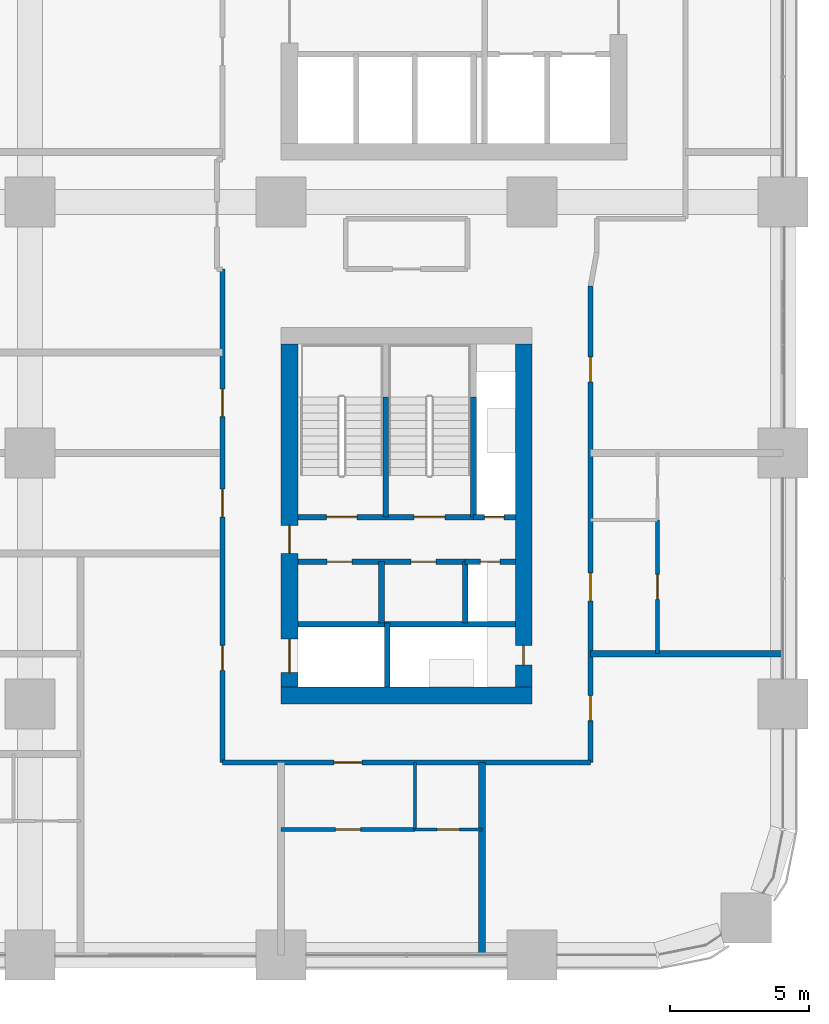
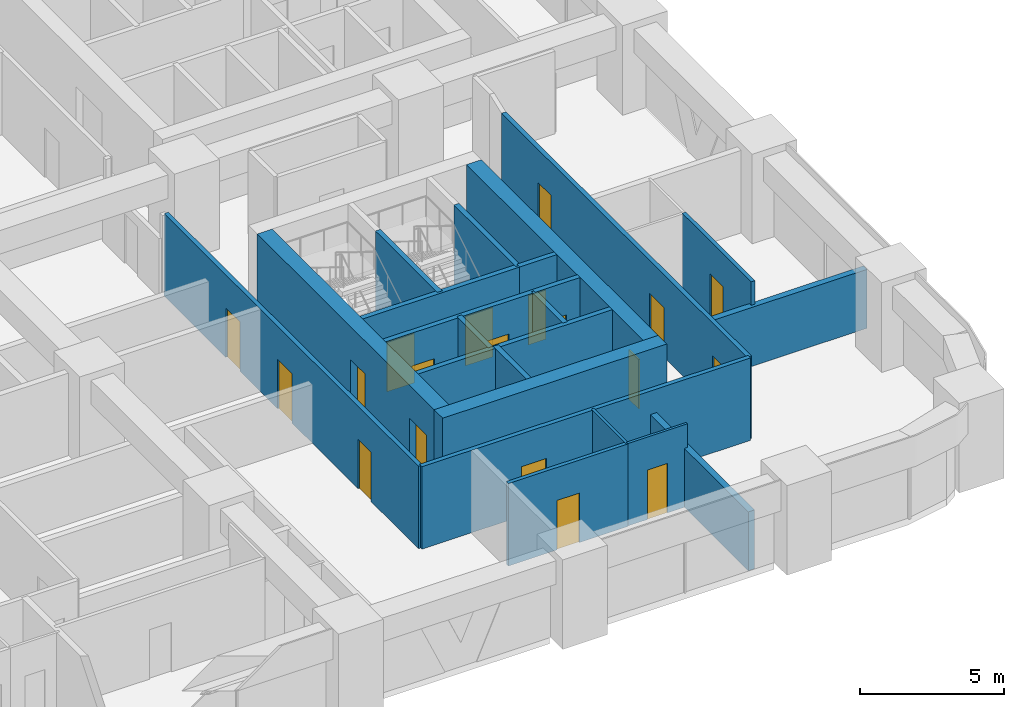
# One storey, part 15 of 21: 22 walls, 19 doors, 19 openings.
"""IFC4 building model written with IfcOpenShell, lengths in metres."""

from ifc_helpers import new_model, si_unit, direction, frame, frame_2d, origin, place, context, subcontext, project, spatial, rectangle, extrude, material, layer, layer_set, type_object, element, fill, save


model = new_model("IFC4")

# Units and contexts
model_context = context("Model", 3, precision=1e-05, world=origin(), true_north=direction((0.0, 1.0)))
body_context = subcontext(model_context, "Body", "Model", "MODEL_VIEW")
ifc_project = project(units=[si_unit("LENGTHUNIT", "METRE"), si_unit("AREAUNIT", "SQUARE_METRE"), si_unit("VOLUMEUNIT", "CUBIC_METRE"), si_unit("PLANEANGLEUNIT", "RADIAN"), si_unit("MASSUNIT", "GRAM", prefix="KILO")], contexts=[model_context])

# Site, building, storey
site_placement = place(None, origin())
site = spatial("IfcSite", under=ifc_project, at=site_placement, CompositionType="ELEMENT")
building_placement = place(site_placement, origin())
building = spatial("IfcBuilding", under=site, at=building_placement, Name="Tessera Arch", CompositionType="ELEMENT")
storey_placement = place(building_placement, frame((0.0, 0.0, 69.0)))
storey = spatial("IfcBuildingStorey", under=building, at=storey_placement, Name="L15", CompositionType="ELEMENT", Elevation=69.0)

# Wall
ifc_material_1 = material(Name="Gypsum board on steel stud", Category="steel")
ifc_layer_1 = layer(ifc_material_1, 0.125)
ifc_layer_set_1 = layer_set([ifc_layer_1], Name="Core partition 125 EI 60")
wall_type_1 = type_object("IfcWallType", Name="Core partition 125 EI 60", PredefinedType="PARTITIONING", material=ifc_layer_set_1)
wall_1_placement = place(storey_placement, frame((39.60009765625, 11.89990234375, 0.0), z_axis=(0.0, 0.0, 1.0), x_axis=(0.0, 1.0, 0.0)))
element("IfcWall", 1, at=wall_1_placement, inside=storey, type_object=wall_type_1, Name="L15 C3 partition wall 1", PredefinedType="PARTITIONING", context=body_context, shape_type="SweptSolid", body=[
    extrude(rectangle(XDim=2.2001953125, YDim=0.199951171875, at=frame_2d((1.10009765625, 0.0))), origin(), (0.0, 0.0, 1.0), 3.5),
])

# Wall, openings, doors
wall_2_placement = place(storey_placement, frame((36.60009765625, 14.10009765625, 0.0), z_axis=(0.0, 0.0, 1.0), x_axis=(1.0, 0.0, 0.0)))
wall_2 = element("IfcWall", 2, at=wall_2_placement, inside=storey, type_object=wall_type_1, Name="L15 C3 partition wall 9", PredefinedType="PARTITIONING", context=body_context, shape_type="SweptSolid", body=[
    extrude(rectangle(XDim=6.0, YDim=0.199951171875, at=frame_2d((3.0, 0.0))), origin(), (0.0, 0.0, 1.0), 3.5),
])
opening_1_placement = place(wall_2_placement, frame((1.050048828125, 0.0, 0.0)))
opening_1 = element("IfcOpeningElement", 3, at=opening_1_placement, cuts=wall_2, Name="Opening L15-C39", PredefinedType="OPENING", context=body_context, shape_type="SweptSolid", body=[
    extrude(rectangle(XDim=0.89990234375, YDim=2.10009765625, at=frame_2d((0.449951171875, 1.050048828125))), frame((0.0, 0.10986328125, 0.0), z_axis=(0.0, -1.0, 0.0), x_axis=(1.0, 0.0, 0.0)), (0.0, 0.0, 1.0), 0.219970703125),
])
opening_2_placement = place(wall_2_placement, frame((4.050048828125, 0.0, 0.0)))
opening_2 = element("IfcOpeningElement", 4, at=opening_2_placement, cuts=wall_2, Name="Opening L15-C40", PredefinedType="OPENING", context=body_context, shape_type="SweptSolid", body=[
    extrude(rectangle(XDim=0.89990234375, YDim=2.10009765625, at=frame_2d((0.449951171875, 1.050048828125))), frame((0.0, 0.10986328125, 0.0), z_axis=(0.0, -1.0, 0.0), x_axis=(1.0, 0.0, 0.0)), (0.0, 0.0, 1.0), 0.219970703125),
])
ifc_material_2 = material(Name="Steel door leaf", Category="steel")
door_type_1 = type_object("IfcDoorType", Name="Store door FD30S 900 x 2100", OperationType="SINGLE_SWING_LEFT", PredefinedType="DOOR", material=ifc_material_2)
door_1_placement = place(opening_1_placement, origin())
door_1 = element("IfcDoor", 5, at=door_1_placement, inside=storey, type_object=door_type_1, Name="L15 C3 door 8 C39 type D09", OperationType="SINGLE_SWING_LEFT", OverallHeight=2.10009765625, OverallWidth=0.89990234375, PredefinedType="DOOR", context=body_context, shape_type="SweptSolid", body=[
    extrude(rectangle(XDim=0.89990234375, YDim=2.10009765625, at=frame_2d((0.449951171875, 1.050048828125))), frame((0.0, 0.02490234375, 0.0), z_axis=(0.0, -1.0, 0.0), x_axis=(1.0, 0.0, 0.0)), (0.0, 0.0, 1.0), 0.050048828125),
])
fill(opening_1, door_1)
door_2_placement = place(opening_2_placement, origin())
door_2 = element("IfcDoor", 6, at=door_2_placement, inside=storey, type_object=door_type_1, Name="L15 C3 door 9 C40 type D09", OperationType="SINGLE_SWING_RIGHT", OverallHeight=2.10009765625, OverallWidth=0.89990234375, PredefinedType="DOOR", context=body_context, shape_type="SweptSolid", body=[
    extrude(rectangle(XDim=0.89990234375, YDim=2.10009765625, at=frame_2d((0.449951171875, 1.050048828125))), frame((0.0, 0.02490234375, 0.0), z_axis=(0.0, -1.0, 0.0), x_axis=(1.0, 0.0, 0.0)), (0.0, 0.0, 1.0), 0.050048828125),
])
fill(opening_2, door_2)

# Wall
ifc_material_3 = material(Name="Concrete C70/85", Category="concrete")
ifc_layer_2 = layer(ifc_material_3, 0.60009765625)
ifc_layer_set_2 = layer_set([ifc_layer_2], Name="Core shell wall 600 C70-85")
wall_type_2 = type_object("IfcWallType", Name="Core shell wall 600 C70-85", PredefinedType="SHEAR", material=ifc_layer_set_2)
wall_3_placement = place(storey_placement, frame((36.0, 9.300048828125, 0.0), z_axis=(0.0, 0.0, 1.0), x_axis=(1.0, 0.0, 0.0)))
element("IfcWall", 7, at=wall_3_placement, inside=storey, type_object=wall_type_2, Name="L15 C3 core wall S", PredefinedType="SHEAR", context=body_context, shape_type="SweptSolid", body=[
    extrude(rectangle(XDim=9.0, YDim=0.60009765625, at=frame_2d((4.5, 0.0))), origin(), (0.0, 0.0, 1.0), 3.5),
])

# Wall, openings, doors
wall_4_placement = place(storey_placement, frame((36.300048828125, 9.60009765625, 0.0), z_axis=(0.0, 0.0, 1.0), x_axis=(0.0, 1.0, 0.0)))
wall_4 = element("IfcWall", 8, at=wall_4_placement, inside=storey, type_object=wall_type_2, Name="L15 C3 core wall W", PredefinedType="SHEAR", context=body_context, shape_type="SweptSolid", body=[
    extrude(rectangle(XDim=12.2998046875, YDim=0.60009765625, at=frame_2d((6.14990234375, 0.0))), origin(), (0.0, 0.0, 1.0), 3.5),
])
opening_3_placement = place(wall_4_placement, frame((0.52490234375, 0.0, 0.0)))
opening_3 = element("IfcOpeningElement", 9, at=opening_3_placement, cuts=wall_4, Name="Opening L15-C32", PredefinedType="OPENING", context=body_context, shape_type="SweptSolid", body=[
    extrude(rectangle(XDim=1.199951171875, YDim=2.10009765625, at=frame_2d((0.60009765625, 1.050048828125))), frame((0.0, 0.31005859375, 0.0), z_axis=(0.0, -1.0, 0.0), x_axis=(1.0, 0.0, 0.0)), (0.0, 0.0, 1.0), 0.6201171875),
])
opening_4_placement = place(wall_4_placement, frame((4.800048828125, 0.0, 0.0)))
opening_4 = element("IfcOpeningElement", 10, at=opening_4_placement, cuts=wall_4, Name="Opening L15-C38", PredefinedType="OPENING", context=body_context, shape_type="SweptSolid", body=[
    extrude(rectangle(XDim=1.0, YDim=2.10009765625, at=frame_2d((0.5, 1.050048828125))), frame((0.0, 0.31005859375, 0.0), z_axis=(0.0, -1.0, 0.0), x_axis=(1.0, 0.0, 0.0)), (0.0, 0.0, 1.0), 0.6201171875),
])
ifc_material_4 = material(Name="Steel door leaf", Category="steel")
door_type_2 = type_object("IfcDoorType", Name="Corridor door FD60 1000 x 2100", OperationType="SINGLE_SWING_LEFT", PredefinedType="DOOR", material=ifc_material_4)
door_3_placement = place(opening_4_placement, origin())
door_3 = element("IfcDoor", 11, at=door_3_placement, inside=storey, type_object=door_type_2, Name="L15 C3 door 7 C38 type D12", OperationType="SINGLE_SWING_LEFT", OverallHeight=2.10009765625, OverallWidth=1.0, PredefinedType="DOOR", context=body_context, shape_type="SweptSolid", body=[
    extrude(rectangle(XDim=1.0, YDim=2.10009765625, at=frame_2d((0.5, 1.050048828125))), frame((0.0, 0.02490234375, 0.0), z_axis=(0.0, -1.0, 0.0), x_axis=(1.0, 0.0, 0.0)), (0.0, 0.0, 1.0), 0.050048828125),
])
fill(opening_4, door_3)
ifc_material_5 = material(Name="Stainless steel AISI 304", Category="steel")
door_type_3 = type_object("IfcDoorType", Name="Sliding landing door 1200 x 2100", OperationType="SLIDING_TO_LEFT", PredefinedType="DOOR", material=ifc_material_5)
door_4_placement = place(opening_3_placement, origin())
door_4 = element("IfcDoor", 12, at=door_4_placement, inside=storey, type_object=door_type_3, Name="L15 SV1 lift landing door C32 type LD", OperationType="SLIDING_TO_LEFT", OverallHeight=2.10009765625, OverallWidth=1.199951171875, PredefinedType="DOOR", context=body_context, shape_type="SweptSolid", body=[
    extrude(rectangle(XDim=1.199951171875, YDim=2.10009765625, at=frame_2d((0.60009765625, 1.050048828125))), frame((0.0, 0.02490234375, 0.0), z_axis=(0.0, -1.0, 0.0), x_axis=(1.0, 0.0, 0.0)), (0.0, 0.0, 1.0), 0.050048828125),
])
fill(opening_3, door_4)

# Wall, opening, door
wall_5_placement = place(storey_placement, frame((44.699951171875, 9.60009765625, 0.0), z_axis=(0.0, 0.0, 1.0), x_axis=(0.0, 1.0, 0.0)))
wall_5 = element("IfcWall", 13, at=wall_5_placement, inside=storey, type_object=wall_type_2, Name="L15 C3 core wall E", PredefinedType="SHEAR", context=body_context, shape_type="SweptSolid", body=[
    extrude(rectangle(XDim=12.2998046875, YDim=0.60009765625, at=frame_2d((6.14990234375, 0.0))), origin(), (0.0, 0.0, 1.0), 3.5),
])
opening_5_placement = place(wall_5_placement, frame((0.800048828125, 0.0, 0.0)))
opening_5 = element("IfcOpeningElement", 14, at=opening_5_placement, cuts=wall_5, Name="Opening L15-C37", PredefinedType="OPENING", context=body_context, shape_type="SweptSolid", body=[
    extrude(rectangle(XDim=0.699951171875, YDim=2.10009765625, at=frame_2d((0.35009765625, 1.050048828125))), frame((0.0, 0.31005859375, 0.0), z_axis=(0.0, -1.0, 0.0), x_axis=(1.0, 0.0, 0.0)), (0.0, 0.0, 1.0), 0.6201171875),
])
ifc_material_6 = material(Name="Steel door leaf", Category="steel")
door_type_4 = type_object("IfcDoorType", Name="Service shaft door FD60 700 x 2100", OperationType="SINGLE_SWING_LEFT", PredefinedType="DOOR", material=ifc_material_6)
door_5_placement = place(opening_5_placement, origin())
door_5 = element("IfcDoor", 15, at=door_5_placement, inside=storey, type_object=door_type_4, Name="L15 C3 door 6 C37 type D07", OperationType="SINGLE_SWING_LEFT", OverallHeight=2.10009765625, OverallWidth=0.699951171875, PredefinedType="DOOR", context=body_context, shape_type="SweptSolid", body=[
    extrude(rectangle(XDim=0.699951171875, YDim=2.10009765625, at=frame_2d((0.35009765625, 1.050048828125))), frame((0.0, 0.02490234375, 0.0), z_axis=(0.0, -1.0, 0.0), x_axis=(1.0, 0.0, 0.0)), (0.0, 0.0, 1.0), 0.050048828125),
])
fill(opening_5, door_5)

ifc_material_7 = material(Name="Gypsum board on deep steel stud with mineral wool", Category="steel")
ifc_layer_3 = layer(ifc_material_7, 0.175048828125)
ifc_layer_set_3 = layer_set([ifc_layer_3], Name="Corridor wall 175 EI 60")
wall_type_3 = type_object("IfcWallType", Name="Corridor wall 175 EI 60", PredefinedType="PARTITIONING", material=ifc_layer_set_3)
wall_6_placement = place(storey_placement, frame((33.89990234375, 6.89990234375, 0.0), z_axis=(0.0, 0.0, 1.0), x_axis=(1.0, 0.0, 0.0)))
wall_6 = element("IfcWall", 16, at=wall_6_placement, inside=storey, type_object=wall_type_3, Name="L15 partition 2", PredefinedType="PARTITIONING", context=body_context, shape_type="SweptSolid", body=[
    extrude(rectangle(XDim=13.2001953125, YDim=0.175048828125, at=frame_2d((6.60009765625, 0.0))), origin(), (0.0, 0.0, 1.0), 3.5),
])
opening_6_placement = place(wall_6_placement, frame((4.0, 0.0, 0.0)))
opening_6 = element("IfcOpeningElement", 17, at=opening_6_placement, cuts=wall_6, Name="Opening L15-D007", PredefinedType="OPENING", context=body_context, shape_type="SweptSolid", body=[
    extrude(rectangle(XDim=1.0, YDim=2.10009765625, at=frame_2d((0.5, 1.050048828125))), frame((0.0, 0.097412109375, 0.0), z_axis=(0.0, -1.0, 0.0), x_axis=(1.0, 0.0, 0.0)), (0.0, 0.0, 1.0), 0.195068359375),
])
ifc_material_8 = material(Name="Fire-rated door leaf")
door_type_5 = type_object("IfcDoorType", Name="Entrance door FD30S 1000 x 2100", OperationType="SINGLE_SWING_LEFT", PredefinedType="DOOR", material=ifc_material_8)
door_6_placement = place(opening_6_placement, origin())
door_6 = element("IfcDoor", 18, at=door_6_placement, inside=storey, type_object=door_type_5, Name="L15 door D007 type D03", OperationType="SINGLE_SWING_RIGHT", OverallHeight=2.10009765625, OverallWidth=1.0, PredefinedType="DOOR", context=body_context, shape_type="SweptSolid", body=[
    extrude(rectangle(XDim=1.0, YDim=2.10009765625, at=frame_2d((0.5, 1.050048828125))), frame((0.0, 0.02490234375, 0.0), z_axis=(0.0, -1.0, 0.0), x_axis=(1.0, 0.0, 0.0)), (0.0, 0.0, 1.0), 0.050048828125),
])
fill(opening_6, door_6)

# Wall, openings, doors
wall_7_placement = place(storey_placement, frame((33.89990234375, 6.89990234375, 0.0), z_axis=(0.0, 0.0, 1.0), x_axis=(0.0, 1.0, 0.0)))
wall_7 = element("IfcWall", 19, at=wall_7_placement, inside=storey, type_object=wall_type_3, Name="L15 partition 24", PredefinedType="PARTITIONING", context=body_context, shape_type="SweptSolid", body=[
    extrude(rectangle(XDim=17.690185546875, YDim=0.175048828125, at=frame_2d((8.84521484375, 0.0))), origin(), (0.0, 0.0, 1.0), 3.5),
])
opening_7_placement = place(wall_7_placement, frame((3.300048828125, 0.0, 0.0)))
opening_7 = element("IfcOpeningElement", 20, at=opening_7_placement, cuts=wall_7, Name="Opening L15-D017", PredefinedType="OPENING", context=body_context, shape_type="SweptSolid", body=[
    extrude(rectangle(XDim=0.89990234375, YDim=2.10009765625, at=frame_2d((0.449951171875, 1.050048828125))), frame((0.0, 0.097412109375, 0.0), z_axis=(0.0, -1.0, 0.0), x_axis=(1.0, 0.0, 0.0)), (0.0, 0.0, 1.0), 0.195068359375),
])
opening_8_placement = place(wall_7_placement, frame((8.800048828125, 0.0, 0.0)))
opening_8 = element("IfcOpeningElement", 21, at=opening_8_placement, cuts=wall_7, Name="Opening L15-D026", PredefinedType="OPENING", context=body_context, shape_type="SweptSolid", body=[
    extrude(rectangle(XDim=1.0, YDim=2.10009765625, at=frame_2d((0.5, 1.050048828125))), frame((0.0, 0.097412109375, 0.0), z_axis=(0.0, -1.0, 0.0), x_axis=(1.0, 0.0, 0.0)), (0.0, 0.0, 1.0), 0.195068359375),
])
opening_9_placement = place(wall_7_placement, frame((12.39990234375, 0.0, 0.0)))
opening_9 = element("IfcOpeningElement", 22, at=opening_9_placement, cuts=wall_7, Name="Opening L15-D027", PredefinedType="OPENING", context=body_context, shape_type="SweptSolid", body=[
    extrude(rectangle(XDim=1.0, YDim=2.10009765625, at=frame_2d((0.5, 1.050048828125))), frame((0.0, 0.097412109375, 0.0), z_axis=(0.0, -1.0, 0.0), x_axis=(1.0, 0.0, 0.0)), (0.0, 0.0, 1.0), 0.195068359375),
])
door_7_placement = place(opening_8_placement, origin())
door_7 = element("IfcDoor", 23, at=door_7_placement, inside=storey, type_object=door_type_5, Name="L15 door D026 type D03", OperationType="SINGLE_SWING_RIGHT", OverallHeight=2.10009765625, OverallWidth=1.0, PredefinedType="DOOR", context=body_context, shape_type="SweptSolid", body=[
    extrude(rectangle(XDim=1.0, YDim=2.10009765625, at=frame_2d((0.5, 1.050048828125))), frame((0.0, 0.02490234375, 0.0), z_axis=(0.0, -1.0, 0.0), x_axis=(1.0, 0.0, 0.0)), (0.0, 0.0, 1.0), 0.050048828125),
])
fill(opening_8, door_7)
door_8_placement = place(opening_9_placement, origin())
door_8 = element("IfcDoor", 24, at=door_8_placement, inside=storey, type_object=door_type_5, Name="L15 door D027 type D03", OperationType="SINGLE_SWING_LEFT", OverallHeight=2.10009765625, OverallWidth=1.0, PredefinedType="DOOR", context=body_context, shape_type="SweptSolid", body=[
    extrude(rectangle(XDim=1.0, YDim=2.10009765625, at=frame_2d((0.5, 1.050048828125))), frame((0.0, 0.02490234375, 0.0), z_axis=(0.0, -1.0, 0.0), x_axis=(1.0, 0.0, 0.0)), (0.0, 0.0, 1.0), 0.050048828125),
])
fill(opening_9, door_8)
ifc_material_9 = material(Name="Timber door leaf", Category="wood")
door_type_6 = type_object("IfcDoorType", Name="Room door 900 x 2100", OperationType="SINGLE_SWING_LEFT", PredefinedType="DOOR", material=ifc_material_9)
door_9_placement = place(opening_7_placement, origin())
door_9 = element("IfcDoor", 25, at=door_9_placement, inside=storey, type_object=door_type_6, Name="L15 door D017 type D01", OperationType="SINGLE_SWING_LEFT", OverallHeight=2.10009765625, OverallWidth=0.89990234375, PredefinedType="DOOR", context=body_context, shape_type="SweptSolid", body=[
    extrude(rectangle(XDim=0.89990234375, YDim=2.10009765625, at=frame_2d((0.449951171875, 1.050048828125))), frame((0.0, 0.02490234375, 0.0), z_axis=(0.0, -1.0, 0.0), x_axis=(1.0, 0.0, 0.0)), (0.0, 0.0, 1.0), 0.050048828125),
])
fill(opening_7, door_9)

wall_8_placement = place(storey_placement, frame((47.10009765625, 6.89990234375, 0.0), z_axis=(0.0, 0.0, 1.0), x_axis=(0.0, 1.0, 0.0)))
wall_8 = element("IfcWall", 26, at=wall_8_placement, inside=storey, type_object=wall_type_3, Name="L15 partition 28", PredefinedType="PARTITIONING", context=body_context, shape_type="SweptSolid", body=[
    extrude(rectangle(XDim=17.090087890625, YDim=0.175048828125, at=frame_2d((8.544921875, 0.0))), origin(), (0.0, 0.0, 1.0), 3.5),
])
opening_10_placement = place(wall_8_placement, frame((1.5, 0.0, 0.0)))
opening_10 = element("IfcOpeningElement", 27, at=opening_10_placement, cuts=wall_8, Name="Opening L15-D016", PredefinedType="OPENING", context=body_context, shape_type="SweptSolid", body=[
    extrude(rectangle(XDim=0.89990234375, YDim=2.10009765625, at=frame_2d((0.449951171875, 1.050048828125))), frame((0.0, 0.097412109375, 0.0), z_axis=(0.0, -1.0, 0.0), x_axis=(1.0, 0.0, 0.0)), (0.0, 0.0, 1.0), 0.195068359375),
])
opening_11_placement = place(wall_8_placement, frame((5.800048828125, 0.0, 0.0)))
opening_11 = element("IfcOpeningElement", 28, at=opening_11_placement, cuts=wall_8, Name="Opening L15-D023", PredefinedType="OPENING", context=body_context, shape_type="SweptSolid", body=[
    extrude(rectangle(XDim=1.0, YDim=2.10009765625, at=frame_2d((0.5, 1.050048828125))), frame((0.0, 0.097412109375, 0.0), z_axis=(0.0, -1.0, 0.0), x_axis=(1.0, 0.0, 0.0)), (0.0, 0.0, 1.0), 0.195068359375),
])
opening_12_placement = place(wall_8_placement, frame((13.64501953125, 0.0, 0.0)))
opening_12 = element("IfcOpeningElement", 29, at=opening_12_placement, cuts=wall_8, Name="Opening L15-D031", PredefinedType="OPENING", context=body_context, shape_type="SweptSolid", body=[
    extrude(rectangle(XDim=0.89990234375, YDim=2.10009765625, at=frame_2d((0.449951171875, 1.050048828125))), frame((0.0, 0.097412109375, 0.0), z_axis=(0.0, -1.0, 0.0), x_axis=(1.0, 0.0, 0.0)), (0.0, 0.0, 1.0), 0.195068359375),
])
door_10_placement = place(opening_11_placement, origin())
door_10 = element("IfcDoor", 30, at=door_10_placement, inside=storey, type_object=door_type_5, Name="L15 door D023 type D03", OperationType="SINGLE_SWING_RIGHT", OverallHeight=2.10009765625, OverallWidth=1.0, PredefinedType="DOOR", context=body_context, shape_type="SweptSolid", body=[
    extrude(rectangle(XDim=1.0, YDim=2.10009765625, at=frame_2d((0.5, 1.050048828125))), frame((0.0, 0.02490234375, 0.0), z_axis=(0.0, -1.0, 0.0), x_axis=(1.0, 0.0, 0.0)), (0.0, 0.0, 1.0), 0.050048828125),
])
fill(opening_11, door_10)
door_11_placement = place(opening_10_placement, origin())
door_11 = element("IfcDoor", 31, at=door_11_placement, inside=storey, type_object=door_type_6, Name="L15 door D016 type D01", OperationType="SINGLE_SWING_LEFT", OverallHeight=2.10009765625, OverallWidth=0.89990234375, PredefinedType="DOOR", context=body_context, shape_type="SweptSolid", body=[
    extrude(rectangle(XDim=0.89990234375, YDim=2.10009765625, at=frame_2d((0.449951171875, 1.050048828125))), frame((0.0, 0.02490234375, 0.0), z_axis=(0.0, -1.0, 0.0), x_axis=(1.0, 0.0, 0.0)), (0.0, 0.0, 1.0), 0.050048828125),
])
fill(opening_10, door_11)
door_12_placement = place(opening_12_placement, origin())
door_12 = element("IfcDoor", 32, at=door_12_placement, inside=storey, type_object=door_type_6, Name="L15 door D031 type D01", OperationType="SINGLE_SWING_RIGHT", OverallHeight=2.10009765625, OverallWidth=0.89990234375, PredefinedType="DOOR", context=body_context, shape_type="SweptSolid", body=[
    extrude(rectangle(XDim=0.89990234375, YDim=2.10009765625, at=frame_2d((0.449951171875, 1.050048828125))), frame((0.0, 0.02490234375, 0.0), z_axis=(0.0, -1.0, 0.0), x_axis=(1.0, 0.0, 0.0)), (0.0, 0.0, 1.0), 0.050048828125),
])
fill(opening_12, door_12)

# Wall, opening, door
ifc_material_10 = material(Name="Gypsum board on steel stud", Category="steel")
ifc_layer_4 = layer(ifc_material_10, 0.14990234375)
ifc_layer_set_4 = layer_set([ifc_layer_4], Name="Partition 150")
wall_type_4 = type_object("IfcWallType", Name="Partition 150", PredefinedType="PARTITIONING", material=ifc_layer_set_4)
wall_9_placement = place(storey_placement, frame((36.0, 4.5, 0.0), z_axis=(0.0, 0.0, 1.0), x_axis=(1.0, 0.0, 0.0)))
wall_9 = element("IfcWall", 33, at=wall_9_placement, inside=storey, type_object=wall_type_4, Name="L15 partition 33", PredefinedType="PARTITIONING", context=body_context, shape_type="SweptSolid", body=[
    extrude(rectangle(XDim=4.800048828125, YDim=0.14990234375, at=frame_2d((2.39990234375, 0.0))), origin(), (0.0, 0.0, 1.0), 3.5),
])
opening_13_placement = place(wall_9_placement, frame((1.949951171875, 0.0, 0.0)))
opening_13 = element("IfcOpeningElement", 34, at=opening_13_placement, cuts=wall_9, Name="Opening L15-D008", PredefinedType="OPENING", context=body_context, shape_type="SweptSolid", body=[
    extrude(rectangle(XDim=0.89990234375, YDim=2.10009765625, at=frame_2d((0.449951171875, 1.050048828125))), frame((0.0, 0.0849609375, 0.0), z_axis=(0.0, -1.0, 0.0), x_axis=(1.0, 0.0, 0.0)), (0.0, 0.0, 1.0), 0.169921875),
])
door_13_placement = place(opening_13_placement, origin())
door_13 = element("IfcDoor", 35, at=door_13_placement, inside=storey, type_object=door_type_6, Name="L15 door D008 type D01", OperationType="SINGLE_SWING_LEFT", OverallHeight=2.10009765625, OverallWidth=0.89990234375, PredefinedType="DOOR", context=body_context, shape_type="SweptSolid", body=[
    extrude(rectangle(XDim=0.89990234375, YDim=2.10009765625, at=frame_2d((0.449951171875, 1.050048828125))), frame((0.0, 0.02490234375, 0.0), z_axis=(0.0, -1.0, 0.0), x_axis=(1.0, 0.0, 0.0)), (0.0, 0.0, 1.0), 0.050048828125),
])
fill(opening_13, door_13)

wall_10_placement = place(storey_placement, frame((49.5, 10.800048828125, 0.0), z_axis=(0.0, 0.0, 1.0), x_axis=(0.0, 1.0, 0.0)))
wall_10 = element("IfcWall", 36, at=wall_10_placement, inside=storey, type_object=wall_type_4, Name="L15 partition 38", PredefinedType="PARTITIONING", context=body_context, shape_type="SweptSolid", body=[
    extrude(rectangle(XDim=4.800048828125, YDim=0.14990234375, at=frame_2d((2.39990234375, 0.0))), origin(), (0.0, 0.0, 1.0), 3.5),
])
opening_14_placement = place(wall_10_placement, frame((1.949951171875, 0.0, 0.0)))
opening_14 = element("IfcOpeningElement", 37, at=opening_14_placement, cuts=wall_10, Name="Opening L15-D024", PredefinedType="OPENING", context=body_context, shape_type="SweptSolid", body=[
    extrude(rectangle(XDim=0.89990234375, YDim=2.10009765625, at=frame_2d((0.449951171875, 1.050048828125))), frame((0.0, 0.0849609375, 0.0), z_axis=(0.0, -1.0, 0.0), x_axis=(1.0, 0.0, 0.0)), (0.0, 0.0, 1.0), 0.169921875),
])
door_14_placement = place(opening_14_placement, origin())
door_14 = element("IfcDoor", 38, at=door_14_placement, inside=storey, type_object=door_type_6, Name="L15 door D024 type D01", OperationType="SINGLE_SWING_LEFT", OverallHeight=2.10009765625, OverallWidth=0.89990234375, PredefinedType="DOOR", context=body_context, shape_type="SweptSolid", body=[
    extrude(rectangle(XDim=0.89990234375, YDim=2.10009765625, at=frame_2d((0.449951171875, 1.050048828125))), frame((0.0, 0.02490234375, 0.0), z_axis=(0.0, -1.0, 0.0), x_axis=(1.0, 0.0, 0.0)), (0.0, 0.0, 1.0), 0.050048828125),
])
fill(opening_14, door_14)

# Walls
ifc_material_11 = material(Name="Double gypsum board on twin steel stud with acoustic mineral wool", Category="steel")
ifc_layer_5 = layer(ifc_material_11, 0.25)
ifc_layer_set_5 = layer_set([ifc_layer_5], Name="Party wall 250 EI 60")
wall_type_5 = type_object("IfcWallType", Name="Party wall 250 EI 60", PredefinedType="PARTITIONING", material=ifc_layer_set_5)
for number, where, z_axis, x_axis, name in (
    (39, (47.10009765625, 10.800048828125, 0.0), (0.0, 0.0, 1.0), (1.0, 0.0, 0.0), "L15 partition 42"),
    (40, (43.199951171875, 0.0, 0.0), (0.0, 0.0, 1.0), (0.0, 1.0, 0.0), "L15 partition 68"),
):
    element("IfcWall", number, at=place(storey_placement, frame(where, z_axis=z_axis, x_axis=x_axis)), inside=storey, type_object=wall_type_5, Name=name, PredefinedType="PARTITIONING", context=body_context, shape_type="SweptSolid", body=[
        extrude(rectangle(XDim=6.89990234375, YDim=0.25, at=frame_2d((3.449951171875, 0.0))), origin(), (0.0, 0.0, 1.0), 2.5),
    ])
ifc_material_12 = material(Name="Concrete C40/50", Category="concrete")
ifc_layer_6 = layer(ifc_material_12, 0.199951171875)
ifc_layer_set_6 = layer_set([ifc_layer_6], Name="Shaft wall 200 EI 120")
wall_type_6 = type_object("IfcWallType", Name="Shaft wall 200 EI 120", PredefinedType="SOLIDWALL", material=ifc_layer_set_6)
wall_11_placement = place(storey_placement, frame((39.800048828125, 9.60009765625, 0.0), z_axis=(0.0, 0.0, 1.0), x_axis=(0.0, 1.0, 0.0)))
element("IfcWall", 41, at=wall_11_placement, inside=storey, type_object=wall_type_6, Name="L15 C3 shaft wall 4", PredefinedType="SOLIDWALL", context=body_context, shape_type="SweptSolid", body=[
    extrude(rectangle(XDim=2.2998046875, YDim=0.199951171875, at=frame_2d((1.14990234375, 0.0))), origin(), (0.0, 0.0, 1.0), 3.5),
])
wall_12_placement = place(storey_placement, frame((42.60009765625, 11.89990234375, 0.0), z_axis=(0.0, 0.0, 1.0), x_axis=(0.0, 1.0, 0.0)))
element("IfcWall", 42, at=wall_12_placement, inside=storey, type_object=wall_type_6, Name="L15 C3 shaft wall 5", PredefinedType="SOLIDWALL", context=body_context, shape_type="SweptSolid", body=[
    extrude(rectangle(XDim=2.2001953125, YDim=0.199951171875, at=frame_2d((1.10009765625, 0.0))), origin(), (0.0, 0.0, 1.0), 3.5),
])
wall_13_placement = place(storey_placement, frame((36.60009765625, 11.85009765625, 0.0), z_axis=(0.0, 0.0, 1.0), x_axis=(1.0, 0.0, 0.0)))
element("IfcWall", 43, at=wall_13_placement, inside=storey, type_object=wall_type_6, Name="L15 C3 shaft wall 8", PredefinedType="SOLIDWALL", context=body_context, shape_type="SweptSolid", body=[
    extrude(rectangle(XDim=7.7998046875, YDim=0.199951171875, at=frame_2d((3.89990234375, 0.0))), origin(), (0.0, 0.0, 1.0), 3.5),
])

# Wall, opening, door
wall_14_placement = place(storey_placement, frame((42.60009765625, 14.10009765625, 0.0), z_axis=(0.0, 0.0, 1.0), x_axis=(1.0, 0.0, 0.0)))
wall_14 = element("IfcWall", 44, at=wall_14_placement, inside=storey, type_object=wall_type_6, Name="L15 C3 shaft wall 10", PredefinedType="SOLIDWALL", context=body_context, shape_type="SweptSolid", body=[
    extrude(rectangle(XDim=1.7998046875, YDim=0.199951171875, at=frame_2d((0.89990234375, 0.0))), origin(), (0.0, 0.0, 1.0), 3.5),
])
opening_15_placement = place(wall_14_placement, frame((0.550048828125, 0.0, 0.0)))
opening_15 = element("IfcOpeningElement", 45, at=opening_15_placement, cuts=wall_14, Name="Opening L15-C36", PredefinedType="OPENING", context=body_context, shape_type="SweptSolid", body=[
    extrude(rectangle(XDim=0.699951171875, YDim=2.10009765625, at=frame_2d((0.35009765625, 1.050048828125))), frame((0.0, 0.10986328125, 0.0), z_axis=(0.0, -1.0, 0.0), x_axis=(1.0, 0.0, 0.0)), (0.0, 0.0, 1.0), 0.219970703125),
])
door_15_placement = place(opening_15_placement, origin())
door_15 = element("IfcDoor", 46, at=door_15_placement, inside=storey, type_object=door_type_4, Name="L15 C3 door 5 C36 type D07", OperationType="SINGLE_SWING_RIGHT", OverallHeight=2.10009765625, OverallWidth=0.699951171875, PredefinedType="DOOR", context=body_context, shape_type="SweptSolid", body=[
    extrude(rectangle(XDim=0.699951171875, YDim=2.10009765625, at=frame_2d((0.35009765625, 1.050048828125))), frame((0.0, 0.02490234375, 0.0), z_axis=(0.0, -1.0, 0.0), x_axis=(1.0, 0.0, 0.0)), (0.0, 0.0, 1.0), 0.050048828125),
])
fill(opening_15, door_15)

wall_15_placement = place(storey_placement, frame((42.89990234375, 15.699951171875, 0.0), z_axis=(0.0, 0.0, 1.0), x_axis=(1.0, 0.0, 0.0)))
wall_15 = element("IfcWall", 47, at=wall_15_placement, inside=storey, type_object=wall_type_6, Name="L15 C3 shaft wall 11", PredefinedType="SOLIDWALL", context=body_context, shape_type="SweptSolid", body=[
    extrude(rectangle(XDim=1.5, YDim=0.199951171875, at=frame_2d((0.75, 0.0))), origin(), (0.0, 0.0, 1.0), 3.5),
])
opening_16_placement = place(wall_15_placement, frame((0.39990234375, 0.0, 0.0)))
opening_16 = element("IfcOpeningElement", 48, at=opening_16_placement, cuts=wall_15, Name="Opening L15-C35", PredefinedType="OPENING", context=body_context, shape_type="SweptSolid", body=[
    extrude(rectangle(XDim=0.699951171875, YDim=2.10009765625, at=frame_2d((0.35009765625, 1.050048828125))), frame((0.0, 0.10986328125, 0.0), z_axis=(0.0, -1.0, 0.0), x_axis=(1.0, 0.0, 0.0)), (0.0, 0.0, 1.0), 0.219970703125),
])
door_16_placement = place(opening_16_placement, origin())
door_16 = element("IfcDoor", 49, at=door_16_placement, inside=storey, type_object=door_type_4, Name="L15 C3 door 4 C35 type D07", OperationType="SINGLE_SWING_LEFT", OverallHeight=2.10009765625, OverallWidth=0.699951171875, PredefinedType="DOOR", context=body_context, shape_type="SweptSolid", body=[
    extrude(rectangle(XDim=0.699951171875, YDim=2.10009765625, at=frame_2d((0.35009765625, 1.050048828125))), frame((0.0, 0.02490234375, 0.0), z_axis=(0.0, -1.0, 0.0), x_axis=(1.0, 0.0, 0.0)), (0.0, 0.0, 1.0), 0.050048828125),
])
fill(opening_16, door_16)

# Walls
ifc_material_13 = material(Name="Concrete C40/50", Category="concrete")
ifc_layer_7 = layer(ifc_material_13, 0.199951171875)
ifc_layer_set_7 = layer_set([ifc_layer_7], Name="Stair well wall 200 REI 180")
wall_type_7 = type_object("IfcWallType", Name="Stair well wall 200 REI 180", PredefinedType="SOLIDWALL", material=ifc_layer_set_7)
for number, where, z_axis, x_axis, name in (
    (50, (39.75, 15.699951171875, 0.0), (0.0, 0.0, 1.0), (0.0, 1.0, 0.0), "L15 C3 shaft wall 2"),
    (51, (42.89990234375, 15.699951171875, 0.0), (0.0, 0.0, 1.0), (0.0, 1.0, 0.0), "L15 C3 shaft wall 6"),
):
    element("IfcWall", number, at=place(storey_placement, frame(where, z_axis=z_axis, x_axis=x_axis)), inside=storey, type_object=wall_type_7, Name=name, PredefinedType="SOLIDWALL", context=body_context, shape_type="SweptSolid", body=[
        extrude(rectangle(XDim=4.300048828125, YDim=0.199951171875, at=frame_2d((2.14990234375, 0.0))), origin(), (0.0, 0.0, 1.0), 3.5),
    ])

# Wall, openings, doors
wall_16_placement = place(storey_placement, frame((36.60009765625, 15.699951171875, 0.0), z_axis=(0.0, 0.0, 1.0), x_axis=(1.0, 0.0, 0.0)))
wall_16 = element("IfcWall", 52, at=wall_16_placement, inside=storey, type_object=wall_type_7, Name="L15 C3 shaft wall 12", PredefinedType="SOLIDWALL", context=body_context, shape_type="SweptSolid", body=[
    extrude(rectangle(XDim=6.2998046875, YDim=0.199951171875, at=frame_2d((3.14990234375, 0.0))), origin(), (0.0, 0.0, 1.0), 3.5),
])
opening_17_placement = place(wall_16_placement, frame((1.02490234375, 0.0, 0.0)))
opening_17 = element("IfcOpeningElement", 53, at=opening_17_placement, cuts=wall_16, Name="Opening L15-C33", PredefinedType="OPENING", context=body_context, shape_type="SweptSolid", body=[
    extrude(rectangle(XDim=1.10009765625, YDim=2.10009765625, at=frame_2d((0.550048828125, 1.050048828125))), frame((0.0, 0.10986328125, 0.0), z_axis=(0.0, -1.0, 0.0), x_axis=(1.0, 0.0, 0.0)), (0.0, 0.0, 1.0), 0.219970703125),
])
opening_18_placement = place(wall_16_placement, frame((4.175048828125, 0.0, 0.0)))
opening_18 = element("IfcOpeningElement", 54, at=opening_18_placement, cuts=wall_16, Name="Opening L15-C34", PredefinedType="OPENING", context=body_context, shape_type="SweptSolid", body=[
    extrude(rectangle(XDim=1.10009765625, YDim=2.10009765625, at=frame_2d((0.550048828125, 1.050048828125))), frame((0.0, 0.10986328125, 0.0), z_axis=(0.0, -1.0, 0.0), x_axis=(1.0, 0.0, 0.0)), (0.0, 0.0, 1.0), 0.219970703125),
])
ifc_material_14 = material(Name="Steel door leaf", Category="steel")
door_type_7 = type_object("IfcDoorType", Name="Stair door FD60 1100 x 2100", OperationType="SINGLE_SWING_LEFT", PredefinedType="DOOR", material=ifc_material_14)
door_17_placement = place(opening_17_placement, origin())
door_17 = element("IfcDoor", 55, at=door_17_placement, inside=storey, type_object=door_type_7, Name="L15 C3 door 2 C33 type D05", OperationType="SINGLE_SWING_LEFT", OverallHeight=2.10009765625, OverallWidth=1.10009765625, PredefinedType="DOOR", context=body_context, shape_type="SweptSolid", body=[
    extrude(rectangle(XDim=1.10009765625, YDim=2.10009765625, at=frame_2d((0.550048828125, 1.050048828125))), frame((0.0, 0.02490234375, 0.0), z_axis=(0.0, -1.0, 0.0), x_axis=(1.0, 0.0, 0.0)), (0.0, 0.0, 1.0), 0.050048828125),
])
fill(opening_17, door_17)
door_18_placement = place(opening_18_placement, origin())
door_18 = element("IfcDoor", 56, at=door_18_placement, inside=storey, type_object=door_type_7, Name="L15 C3 door 3 C34 type D05", OperationType="SINGLE_SWING_RIGHT", OverallHeight=2.10009765625, OverallWidth=1.10009765625, PredefinedType="DOOR", context=body_context, shape_type="SweptSolid", body=[
    extrude(rectangle(XDim=1.10009765625, YDim=2.10009765625, at=frame_2d((0.550048828125, 1.050048828125))), frame((0.0, 0.02490234375, 0.0), z_axis=(0.0, -1.0, 0.0), x_axis=(1.0, 0.0, 0.0)), (0.0, 0.0, 1.0), 0.050048828125),
])
fill(opening_18, door_18)

# Wall, opening, door
ifc_material_15 = material(Name="Moisture-resistant board on pre-plumbed steel stud", Category="steel")
ifc_layer_8 = layer(ifc_material_15, 0.10009765625)
ifc_layer_set_8 = layer_set([ifc_layer_8], Name="Wet wall 100")
wall_type_8 = type_object("IfcWallType", Name="Wet wall 100", PredefinedType="PARTITIONING", material=ifc_layer_set_8)
wall_17_placement = place(storey_placement, frame((40.800048828125, 4.5, 0.0), z_axis=(0.0, 0.0, 1.0), x_axis=(1.0, 0.0, 0.0)))
wall_17 = element("IfcWall", 57, at=wall_17_placement, inside=storey, type_object=wall_type_8, Name="L15 partition 72", PredefinedType="PARTITIONING", context=body_context, shape_type="SweptSolid", body=[
    extrude(rectangle(XDim=2.39990234375, YDim=0.10009765625, at=frame_2d((1.199951171875, 0.0))), origin(), (0.0, 0.0, 1.0), 3.5),
])
opening_19_placement = place(wall_17_placement, frame((0.800048828125, 0.0, 0.0)))
opening_19 = element("IfcOpeningElement", 58, at=opening_19_placement, cuts=wall_17, Name="Opening L15-D009", PredefinedType="OPENING", context=body_context, shape_type="SweptSolid", body=[
    extrude(rectangle(XDim=0.800048828125, YDim=2.10009765625, at=frame_2d((0.39990234375, 1.050048828125))), frame((0.0, 0.06005859375, 0.0), z_axis=(0.0, -1.0, 0.0), x_axis=(1.0, 0.0, 0.0)), (0.0, 0.0, 1.0), 0.1201171875),
])
ifc_material_16 = material(Name="Timber door leaf", Category="wood")
door_type_8 = type_object("IfcDoorType", Name="En-suite door 800 x 2100", OperationType="SINGLE_SWING_LEFT", PredefinedType="DOOR", material=ifc_material_16)
door_19_placement = place(opening_19_placement, origin())
door_19 = element("IfcDoor", 59, at=door_19_placement, inside=storey, type_object=door_type_8, Name="L15 door D009 type D02", OperationType="SINGLE_SWING_RIGHT", OverallHeight=2.10009765625, OverallWidth=0.800048828125, PredefinedType="DOOR", context=body_context, shape_type="SweptSolid", body=[
    extrude(rectangle(XDim=0.800048828125, YDim=2.10009765625, at=frame_2d((0.39990234375, 1.050048828125))), frame((0.0, 0.02490234375, 0.0), z_axis=(0.0, -1.0, 0.0), x_axis=(1.0, 0.0, 0.0)), (0.0, 0.0, 1.0), 0.050048828125),
])
fill(opening_19, door_19)

# Wall
wall_18_placement = place(storey_placement, frame((40.800048828125, 4.5, 0.0), z_axis=(0.0, 0.0, 1.0), x_axis=(0.0, 1.0, 0.0)))
element("IfcWall", 60, at=wall_18_placement, inside=storey, type_object=wall_type_8, Name="L15 partition 84", PredefinedType="PARTITIONING", context=body_context, shape_type="SweptSolid", body=[
    extrude(rectangle(XDim=2.39990234375, YDim=0.10009765625, at=frame_2d((1.199951171875, 0.0))), origin(), (0.0, 0.0, 1.0), 3.5),
])

save(model, "model.ifc")
